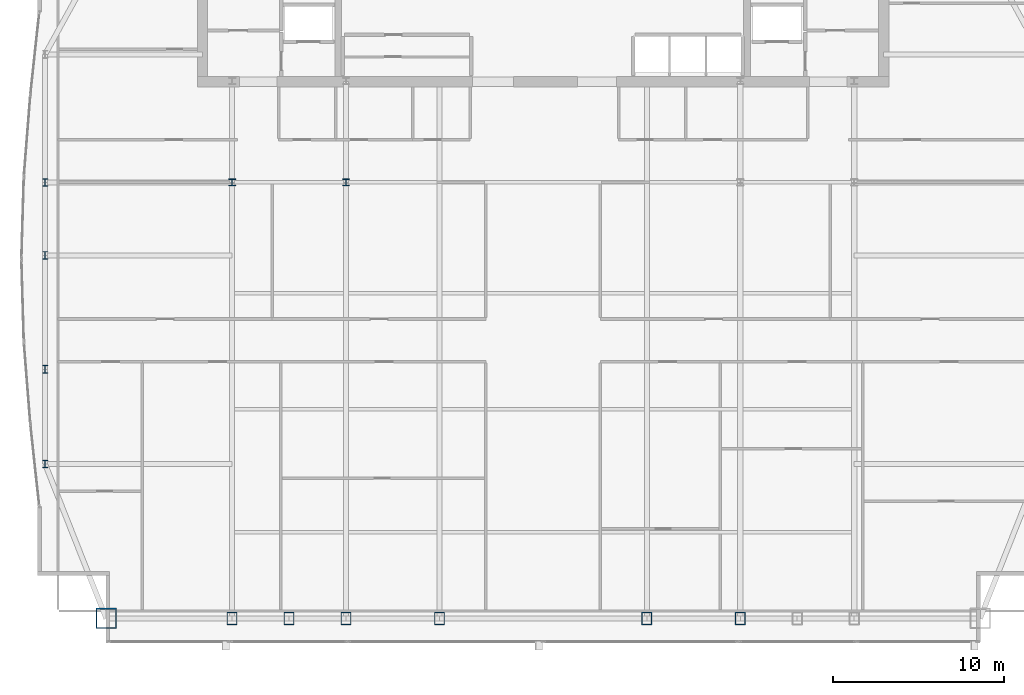
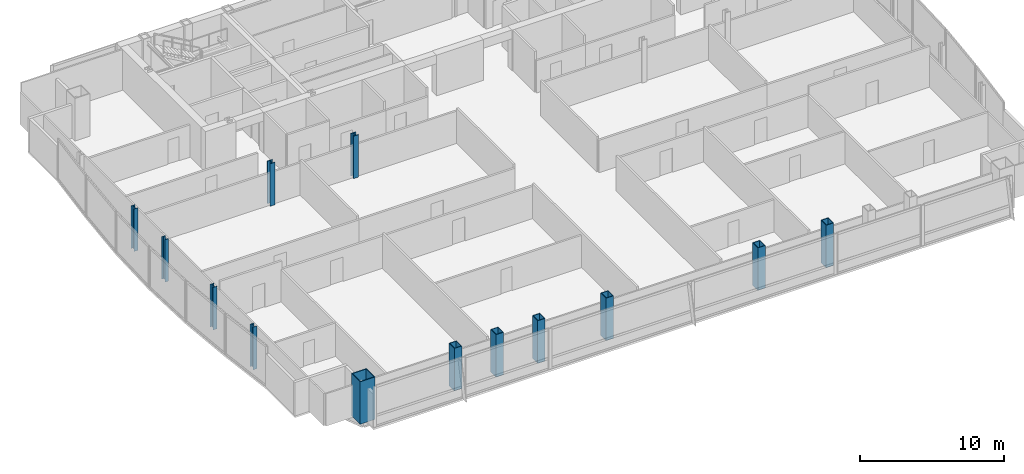
# One storey, part 1 of 32: 13 columns.
"""IFC4 building model written with IfcOpenShell, lengths in metres."""

from ifc_helpers import new_model, si_unit, direction, frame, origin, origin_2d, place, context, subcontext, project, spatial, hollow_rectangle, i_section, extrude, material, material_profile, profile_set, type_object, element, save


model = new_model("IFC4")

# Units and contexts
model_context = context("Model", 3, precision=1e-05, world=origin(), true_north=direction((0.0, 1.0)))
body_context = subcontext(model_context, "Body", "Model", "MODEL_VIEW")
ifc_project = project(units=[si_unit("LENGTHUNIT", "METRE"), si_unit("AREAUNIT", "SQUARE_METRE"), si_unit("VOLUMEUNIT", "CUBIC_METRE"), si_unit("PLANEANGLEUNIT", "RADIAN"), si_unit("MASSUNIT", "GRAM", prefix="KILO")], contexts=[model_context])

# Site, building, storey
site_placement = place(None, origin())
site = spatial("IfcSite", under=ifc_project, at=site_placement, CompositionType="ELEMENT")
building_placement = place(site_placement, origin())
building = spatial("IfcBuilding", under=site, at=building_placement, Name="Khoronbel Lancet Exchange", CompositionType="ELEMENT")
storey_placement = place(building_placement, frame((0.0, 0.0, 192.199951171875)))
storey = spatial("IfcBuildingStorey", under=building, at=storey_placement, Name="L48", CompositionType="ELEMENT", Elevation=192.199951171875)

# Columns
ifc_material_1 = material(Name="Steel S460", Category="steel")
ifc_material_profile_1 = material_profile(ifc_material_1, hollow_rectangle(XDim=0.60009765625, YDim=0.75, WallThickness=0.044921875, at=origin_2d()), Name="BOX 750x600x45")
ifc_profile_set_1 = profile_set([ifc_material_profile_1], Name="Steel S460")
column_type_1 = type_object("IfcColumnType", Name="COL-EC3", PredefinedType="COLUMN", material=ifc_profile_set_1)
for number, where, z_axis, x_axis, name in (
    (1, (18.22509765625, 10.14990234375, 0.0), (0.0, 0.0, 1.0), (1.0, 0.0, 0.0), "Structural column SC-W1 L48"),
    (2, (21.5625, 10.14990234375, 0.0), (0.0, 0.0, 1.0), (1.0, 0.0, 0.0), "Structural column SC-WM L48"),
    (3, (24.89990234375, 10.14990234375, 0.0), (0.0, 0.0, 1.0), (1.0, 0.0, 0.0), "Structural column SC-W2 L48"),
    (4, (30.375, 10.14990234375, 0.0), (0.0, 0.0, 1.0), (1.0, 0.0, 0.0), "Structural column SC-C1 L48"),
    (5, (42.52490234375, 10.14990234375, 0.0), (0.0, 0.0, 1.0), (1.0, 0.0, 0.0), "Structural column SC-C2 L48"),
    (6, (48.0, 10.14990234375, 0.0), (0.0, 0.0, 1.0), (1.0, 0.0, 0.0), "Structural column SC-E1 L48"),
):
    element("IfcColumn", number, at=place(storey_placement, frame(where, z_axis=z_axis, x_axis=x_axis)), inside=storey, type_object=column_type_1, Name=name, PredefinedType="COLUMN", context=body_context, shape_type="SweptSolid", body=[
        extrude(hollow_rectangle(XDim=0.60009765625, YDim=0.75, WallThickness=0.044921875, at=origin_2d()), origin(), (0.0, 0.0, 1.0), 3.60009765625),
    ])
ifc_material_2 = material(Name="Steel S355", Category="steel")
ifc_material_profile_2 = material_profile(ifc_material_2, i_section(OverallWidth=0.406005859375, OverallDepth=0.416015625, WebThickness=0.02978515625, FlangeThickness=0.048095703125, at=origin_2d()), Name="HD 400x382")
ifc_profile_set_2 = profile_set([ifc_material_profile_2], Name="Steel S355")
column_type_2 = type_object("IfcColumnType", Name="COL-IC3", PredefinedType="COLUMN", material=ifc_profile_set_2)
for number, where, z_axis, x_axis, name in (
    (7, (18.22509765625, 35.699951171875, 0.0), (0.0, 0.0, 1.0), (1.0, 0.0, 0.0), "Spine gravity column TC1 L48"),
    (8, (24.89990234375, 35.699951171875, 0.0), (0.0, 0.0, 1.0), (1.0, 0.0, 0.0), "Spine gravity column TC2 L48"),
):
    element("IfcColumn", number, at=place(storey_placement, frame(where, z_axis=z_axis, x_axis=x_axis)), inside=storey, type_object=column_type_2, Name=name, PredefinedType="COLUMN", context=body_context, shape_type="SweptSolid", body=[
        extrude(i_section(OverallWidth=0.406005859375, OverallDepth=0.416015625, WebThickness=0.02978515625, FlangeThickness=0.048095703125, at=origin_2d()), origin(), (0.0, 0.0, 1.0), 3.60009765625),
    ])
ifc_material_profile_3 = material_profile(ifc_material_2, i_section(OverallWidth=0.300048828125, OverallDepth=0.449951171875, WebThickness=0.013916015625, FlangeThickness=0.02587890625, at=origin_2d()), Name="HEB 450")
ifc_profile_set_3 = profile_set([ifc_material_profile_3], Name="Steel S355")
column_type_3 = type_object("IfcColumnType", Name="COL-LC2", PredefinedType="COLUMN", material=ifc_profile_set_3)
for number, where, z_axis, x_axis, name in (
    (9, (7.27001953125, 19.199951171875, 0.0), (0.0, 0.0, 1.0), (1.0, 0.0, 0.0), "Structural column WC-1 L48"),
    (10, (7.27001953125, 24.75, 0.0), (0.0, 0.0, 1.0), (1.0, 0.0, 0.0), "Structural column WC-2 L48"),
    (11, (7.27001953125, 31.425048828125, 0.0), (0.0, 0.0, 1.0), (1.0, 0.0, 0.0), "Structural column WC-M L48"),
    (12, (7.27001953125, 35.699951171875, 0.0), (0.0, 0.0, 1.0), (1.0, 0.0, 0.0), "Structural column WC-3 L48"),
):
    element("IfcColumn", number, at=place(storey_placement, frame(where, z_axis=z_axis, x_axis=x_axis)), inside=storey, type_object=column_type_3, Name=name, PredefinedType="COLUMN", context=body_context, shape_type="SweptSolid", body=[
        extrude(i_section(OverallWidth=0.300048828125, OverallDepth=0.449951171875, WebThickness=0.013916015625, FlangeThickness=0.02587890625, at=origin_2d()), origin(), (0.0, 0.0, 1.0), 3.60009765625),
    ])
ifc_material_profile_4 = material_profile(ifc_material_1, hollow_rectangle(XDim=1.199951171875, YDim=1.199951171875, WallThickness=0.06005859375, at=origin_2d()), Name="BOX 1200x1200x60")
ifc_profile_set_4 = profile_set([ifc_material_profile_4], Name="Steel S460")
column_type_4 = type_object("IfcColumnType", Name="COL-MC5", PredefinedType="COLUMN", material=ifc_profile_set_4)
column_placement = place(storey_placement, frame((10.85009765625, 10.14990234375, 0.0), z_axis=(0.0, 0.0, 1.0), x_axis=(1.0, 0.0, 0.0)))
element("IfcColumn", 13, at=column_placement, inside=storey, type_object=column_type_4, Name="Structural column MC-SW L48", PredefinedType="COLUMN", context=body_context, shape_type="SweptSolid", body=[
    extrude(hollow_rectangle(XDim=1.199951171875, YDim=1.199951171875, WallThickness=0.06005859375, at=origin_2d()), origin(), (0.0, 0.0, 1.0), 3.60009765625),
])

save(model, "model.ifc")
